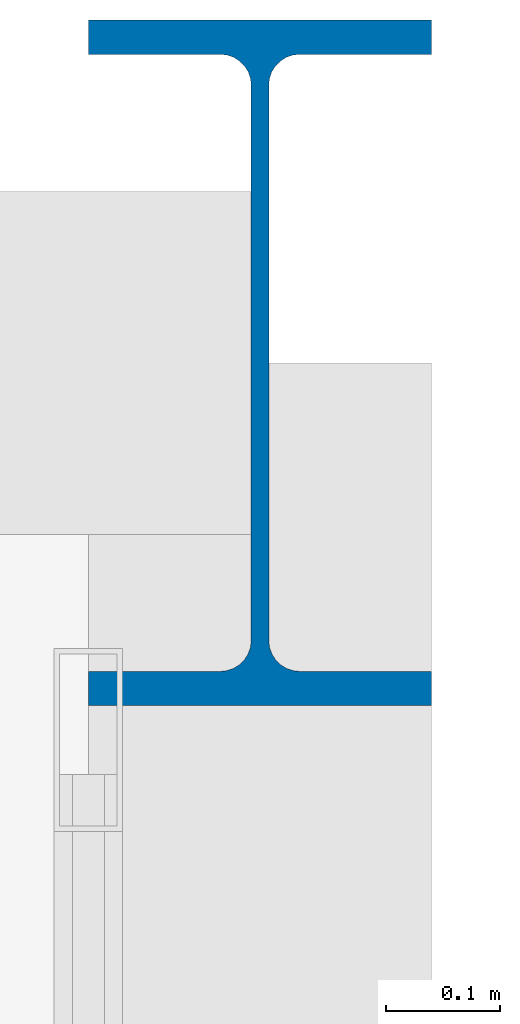
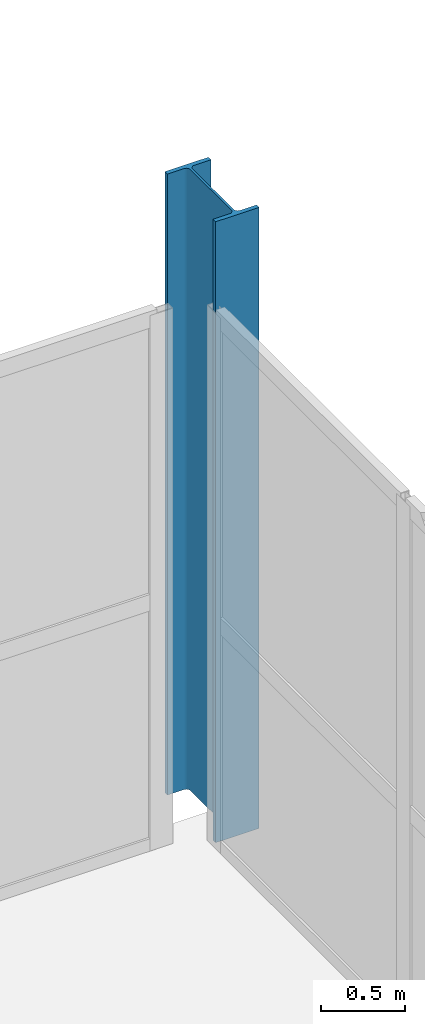
# One storey, part 8 of 109: 1 column.
"""IFC4 building model written with IfcOpenShell, lengths in metres."""

from ifc_helpers import new_model, si_unit, direction, frame, origin, origin_2d, place, context, subcontext, project, spatial, i_section, extrude, material, material_profile, profile_set, type_object, element, save


model = new_model("IFC4")

# Units and contexts
model_context = context("Model", 3, precision=1e-05, world=origin(), true_north=direction((0.0, 1.0)))
body_context = subcontext(model_context, "Body", "Model", "MODEL_VIEW")
ifc_project = project(units=[si_unit("LENGTHUNIT", "METRE"), si_unit("AREAUNIT", "SQUARE_METRE"), si_unit("VOLUMEUNIT", "CUBIC_METRE"), si_unit("PLANEANGLEUNIT", "RADIAN"), si_unit("MASSUNIT", "GRAM", prefix="KILO")], contexts=[model_context])

# Site, building, storey
site_placement = place(None, origin())
site = spatial("IfcSite", under=ifc_project, at=site_placement, CompositionType="ELEMENT")
building_placement = place(site_placement, origin())
building = spatial("IfcBuilding", under=site, at=building_placement, Name="Veltarok Museum of Natural Sciences", CompositionType="ELEMENT")
storey_placement = place(building_placement, frame((0.0, 0.0, 17.39990234375)))
storey = spatial("IfcBuildingStorey", under=building, at=storey_placement, Name="L03", CompositionType="ELEMENT", Elevation=17.39990234375)

# Column
ifc_material = material(Name="Steel S355J2", Category="steel")
ifc_material_profile = material_profile(ifc_material, i_section(OverallWidth=0.300048828125, OverallDepth=0.60009765625, WebThickness=0.015380859375, FlangeThickness=0.030029296875, FilletRadius=0.027099609375, at=origin_2d()), Name="HEB 600")
ifc_profile_set = profile_set([ifc_material_profile], Name="Steel S355J2")
column_type = type_object("IfcColumnType", Name="Perimeter Passage Column HEB 600", PredefinedType="COLUMN", material=ifc_profile_set)
column_placement = place(storey_placement, frame((98.800048828125, 72.0, 0.0), z_axis=(0.0, 0.0, 1.0), x_axis=(1.0, 0.0, 0.0)))
element("IfcColumn", 1, at=column_placement, inside=storey, type_object=column_type, Name="Column COL-EXT02 L03 12/H", PredefinedType="COLUMN", context=body_context, shape_type="SweptSolid", body=[
    extrude(i_section(OverallWidth=0.300048828125, OverallDepth=0.60009765625, WebThickness=0.015380859375, FlangeThickness=0.030029296875, FilletRadius=0.027099609375, at=origin_2d()), origin(), (0.0, 0.0, 1.0), 4.5),
])

save(model, "model.ifc")
